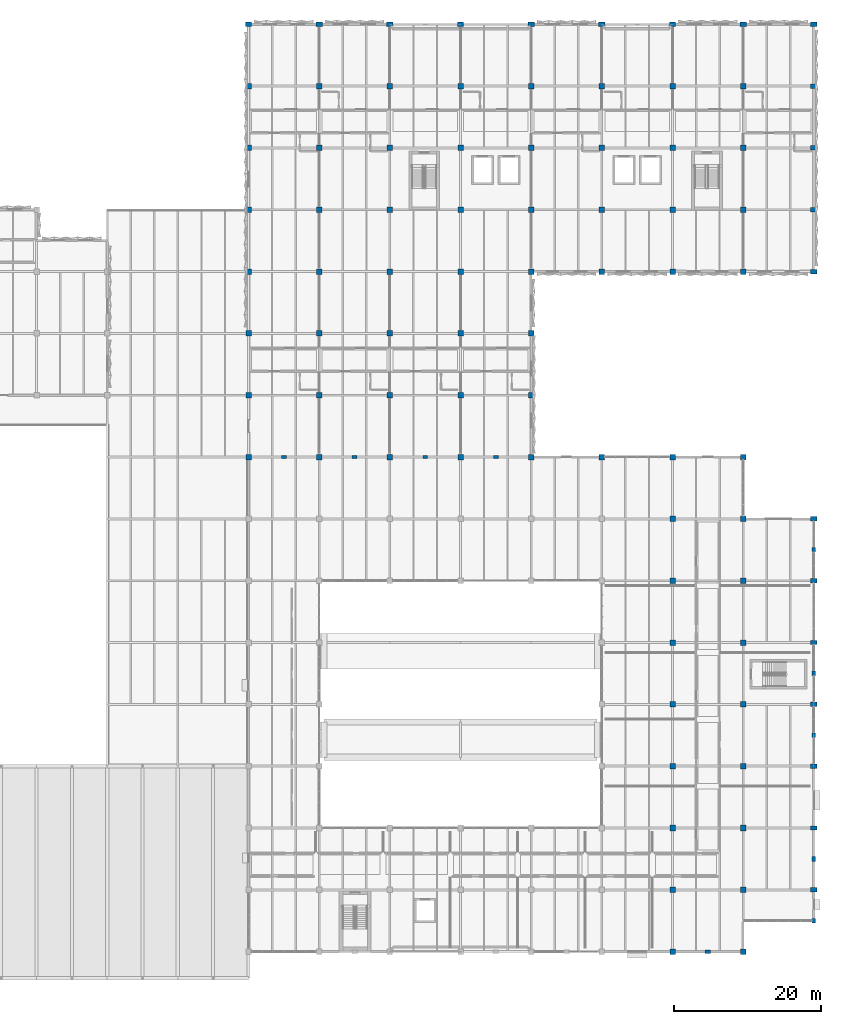
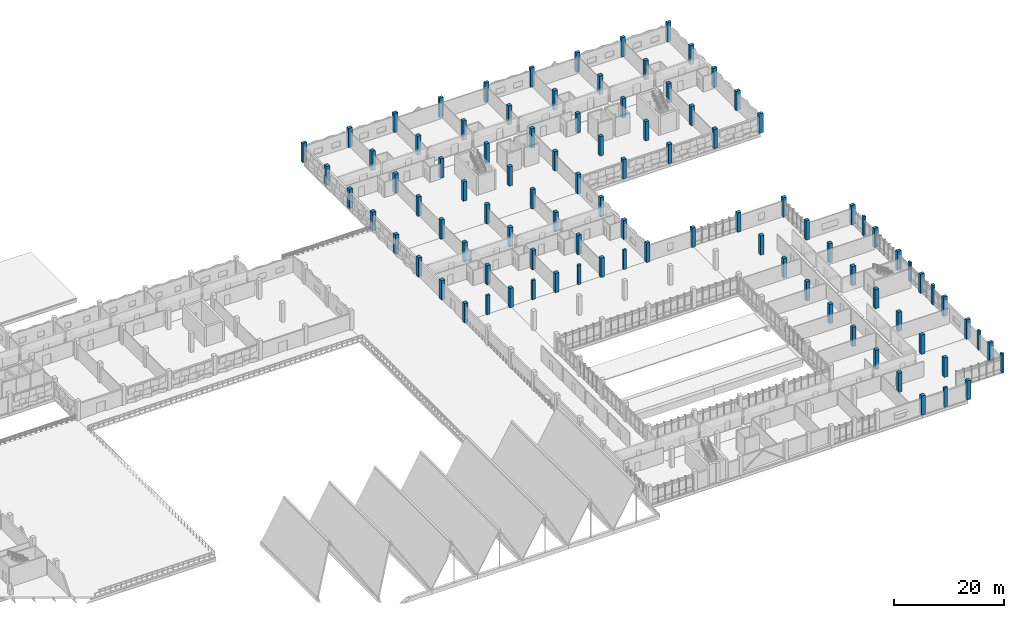
# One storey, part 2 of 86: 96 columns.
"""IFC4 building model written with IfcOpenShell, lengths in metres."""

from ifc_helpers import new_model, si_unit, direction, frame, origin, origin_2d, place, context, subcontext, project, spatial, rectangle, extrude, material, material_profile, profile_set, type_object, element, save


model = new_model("IFC4")

# Units and contexts
model_context = context("Model", 3, precision=1e-05, world=origin(), true_north=direction((0.0, 1.0)))
body_context = subcontext(model_context, "Body", "Model", "MODEL_VIEW")
ifc_project = project(units=[si_unit("LENGTHUNIT", "METRE"), si_unit("AREAUNIT", "SQUARE_METRE"), si_unit("VOLUMEUNIT", "CUBIC_METRE"), si_unit("PLANEANGLEUNIT", "RADIAN"), si_unit("MASSUNIT", "GRAM", prefix="KILO")], contexts=[model_context])

# Site, building, storey
site_placement = place(None, origin())
site = spatial("IfcSite", under=ifc_project, at=site_placement, CompositionType="ELEMENT")
building_placement = place(site_placement, origin())
building = spatial("IfcBuilding", under=site, at=building_placement, Name="Oolite Switchyard Hospital", CompositionType="ELEMENT")
storey_placement = place(building_placement, frame((0.0, 0.0, 13.5)))
storey = spatial("IfcBuildingStorey", under=building, at=storey_placement, Name="L03", CompositionType="ELEMENT", Elevation=13.5)

# Columns
ifc_material_1 = material(Name="Concrete C50/60", Category="concrete")
ifc_material_profile_1 = material_profile(ifc_material_1, rectangle(XDim=0.75, YDim=0.75, at=origin_2d()), Name="RC750X750")
ifc_profile_set_1 = profile_set([ifc_material_profile_1], Name="Concrete C50/60")
column_type_1 = type_object("IfcColumnType", Name="COL-RC750", PredefinedType="COLUMN", material=ifc_profile_set_1)
for number, where, z_axis, x_axis, name in (
    (1, (134.39990234375, 75.60009765625, 0.0), (0.0, 0.0, 1.0), (1.0, 0.0, 0.0), "L03 Column 1011"),
    (2, (134.39990234375, 84.0, 0.0), (0.0, 0.0, 1.0), (1.0, 0.0, 0.0), "L03 Column 1012"),
    (3, (134.39990234375, 92.39990234375, 0.0), (0.0, 0.0, 1.0), (1.0, 0.0, 0.0), "L03 Column 1013"),
    (4, (134.39990234375, 100.800048828125, 0.0), (0.0, 0.0, 1.0), (1.0, 0.0, 0.0), "L03 Column 1014"),
    (5, (134.39990234375, 109.199951171875, 0.0), (0.0, 0.0, 1.0), (1.0, 0.0, 0.0), "L03 Column 1015"),
    (6, (134.39990234375, 117.60009765625, 0.0), (0.0, 0.0, 1.0), (1.0, 0.0, 0.0), "L03 Column 1016"),
    (7, (134.39990234375, 126.0, 0.0), (0.0, 0.0, 1.0), (1.0, 0.0, 0.0), "L03 Column 1017"),
    (8, (144.0, 75.60009765625, 0.0), (0.0, 0.0, 1.0), (1.0, 0.0, 0.0), "L03 Column 1027"),
    (9, (144.0, 84.0, 0.0), (0.0, 0.0, 1.0), (1.0, 0.0, 0.0), "L03 Column 1028"),
    (10, (144.0, 92.39990234375, 0.0), (0.0, 0.0, 1.0), (1.0, 0.0, 0.0), "L03 Column 1029"),
    (11, (144.0, 100.800048828125, 0.0), (0.0, 0.0, 1.0), (1.0, 0.0, 0.0), "L03 Column 1030"),
    (12, (144.0, 109.199951171875, 0.0), (0.0, 0.0, 1.0), (1.0, 0.0, 0.0), "L03 Column 1031"),
    (13, (144.0, 117.60009765625, 0.0), (0.0, 0.0, 1.0), (1.0, 0.0, 0.0), "L03 Column 1032"),
    (14, (144.0, 126.0, 0.0), (0.0, 0.0, 1.0), (1.0, 0.0, 0.0), "L03 Column 1033"),
    (15, (153.60009765625, 75.60009765625, 0.0), (0.0, 0.0, 1.0), (1.0, 0.0, 0.0), "L03 Column 1040"),
    (16, (153.60009765625, 84.0, 0.0), (0.0, 0.0, 1.0), (1.0, 0.0, 0.0), "L03 Column 1041"),
    (17, (153.60009765625, 92.39990234375, 0.0), (0.0, 0.0, 1.0), (1.0, 0.0, 0.0), "L03 Column 1042"),
    (18, (153.60009765625, 100.800048828125, 0.0), (0.0, 0.0, 1.0), (1.0, 0.0, 0.0), "L03 Column 1043"),
    (19, (153.60009765625, 109.199951171875, 0.0), (0.0, 0.0, 1.0), (1.0, 0.0, 0.0), "L03 Column 1044"),
    (20, (153.60009765625, 117.60009765625, 0.0), (0.0, 0.0, 1.0), (1.0, 0.0, 0.0), "L03 Column 1045"),
    (21, (153.60009765625, 126.0, 0.0), (0.0, 0.0, 1.0), (1.0, 0.0, 0.0), "L03 Column 1046"),
    (22, (163.199951171875, 75.60009765625, 0.0), (0.0, 0.0, 1.0), (1.0, 0.0, 0.0), "L03 Column 1053"),
    (23, (163.199951171875, 84.0, 0.0), (0.0, 0.0, 1.0), (1.0, 0.0, 0.0), "L03 Column 1054"),
    (24, (163.199951171875, 92.39990234375, 0.0), (0.0, 0.0, 1.0), (1.0, 0.0, 0.0), "L03 Column 1055"),
    (25, (163.199951171875, 100.800048828125, 0.0), (0.0, 0.0, 1.0), (1.0, 0.0, 0.0), "L03 Column 1056"),
    (26, (163.199951171875, 109.199951171875, 0.0), (0.0, 0.0, 1.0), (1.0, 0.0, 0.0), "L03 Column 1057"),
    (27, (163.199951171875, 117.60009765625, 0.0), (0.0, 0.0, 1.0), (1.0, 0.0, 0.0), "L03 Column 1058"),
    (28, (163.199951171875, 126.0, 0.0), (0.0, 0.0, 1.0), (1.0, 0.0, 0.0), "L03 Column 1059"),
    (29, (172.800048828125, 75.60009765625, 0.0), (0.0, 0.0, 1.0), (1.0, 0.0, 0.0), "L03 Column 1066"),
    (30, (172.800048828125, 84.0, 0.0), (0.0, 0.0, 1.0), (1.0, 0.0, 0.0), "L03 Column 1067"),
    (31, (172.800048828125, 92.39990234375, 0.0), (0.0, 0.0, 1.0), (1.0, 0.0, 0.0), "L03 Column 1068"),
    (32, (172.800048828125, 100.800048828125, 0.0), (0.0, 0.0, 1.0), (1.0, 0.0, 0.0), "L03 Column 1069"),
    (33, (172.800048828125, 109.199951171875, 0.0), (0.0, 0.0, 1.0), (1.0, 0.0, 0.0), "L03 Column 1070"),
    (34, (172.800048828125, 117.60009765625, 0.0), (0.0, 0.0, 1.0), (1.0, 0.0, 0.0), "L03 Column 1071"),
    (35, (172.800048828125, 126.0, 0.0), (0.0, 0.0, 1.0), (1.0, 0.0, 0.0), "L03 Column 1072"),
    (36, (182.39990234375, 75.60009765625, 0.0), (0.0, 0.0, 1.0), (1.0, 0.0, 0.0), "L03 Column 1082"),
    (37, (182.39990234375, 100.800048828125, 0.0), (0.0, 0.0, 1.0), (1.0, 0.0, 0.0), "L03 Column 1083"),
    (38, (182.39990234375, 109.199951171875, 0.0), (0.0, 0.0, 1.0), (1.0, 0.0, 0.0), "L03 Column 1084"),
    (39, (182.39990234375, 117.60009765625, 0.0), (0.0, 0.0, 1.0), (1.0, 0.0, 0.0), "L03 Column 1085"),
    (40, (182.39990234375, 126.0, 0.0), (0.0, 0.0, 1.0), (1.0, 0.0, 0.0), "L03 Column 1086"),
    (41, (192.0, 8.39990234375, 0.0), (0.0, 0.0, 1.0), (1.0, 0.0, 0.0), "L03 Column 1088"),
    (42, (192.0, 16.800048828125, 0.0), (0.0, 0.0, 1.0), (1.0, 0.0, 0.0), "L03 Column 1089"),
    (43, (192.0, 25.199951171875, 0.0), (0.0, 0.0, 1.0), (1.0, 0.0, 0.0), "L03 Column 1090"),
    (44, (192.0, 33.60009765625, 0.0), (0.0, 0.0, 1.0), (1.0, 0.0, 0.0), "L03 Column 1091"),
    (45, (192.0, 42.0, 0.0), (0.0, 0.0, 1.0), (1.0, 0.0, 0.0), "L03 Column 1092"),
    (46, (192.0, 50.39990234375, 0.0), (0.0, 0.0, 1.0), (1.0, 0.0, 0.0), "L03 Column 1093"),
    (47, (192.0, 58.800048828125, 0.0), (0.0, 0.0, 1.0), (1.0, 0.0, 0.0), "L03 Column 1094"),
    (48, (192.0, 67.199951171875, 0.0), (0.0, 0.0, 1.0), (1.0, 0.0, 0.0), "L03 Column 1095"),
    (49, (192.0, 75.60009765625, 0.0), (0.0, 0.0, 1.0), (1.0, 0.0, 0.0), "L03 Column 1096"),
    (50, (192.0, 100.800048828125, 0.0), (0.0, 0.0, 1.0), (1.0, 0.0, 0.0), "L03 Column 1097"),
    (51, (192.0, 109.199951171875, 0.0), (0.0, 0.0, 1.0), (1.0, 0.0, 0.0), "L03 Column 1098"),
    (52, (192.0, 117.60009765625, 0.0), (0.0, 0.0, 1.0), (1.0, 0.0, 0.0), "L03 Column 1099"),
    (53, (192.0, 126.0, 0.0), (0.0, 0.0, 1.0), (1.0, 0.0, 0.0), "L03 Column 1100"),
    (54, (201.60009765625, 8.39990234375, 0.0), (0.0, 0.0, 1.0), (1.0, 0.0, 0.0), "L03 Column 1102"),
    (55, (201.60009765625, 16.800048828125, 0.0), (0.0, 0.0, 1.0), (1.0, 0.0, 0.0), "L03 Column 1103"),
    (56, (201.60009765625, 25.199951171875, 0.0), (0.0, 0.0, 1.0), (1.0, 0.0, 0.0), "L03 Column 1104"),
    (57, (201.60009765625, 33.60009765625, 0.0), (0.0, 0.0, 1.0), (1.0, 0.0, 0.0), "L03 Column 1105"),
    (58, (201.60009765625, 42.0, 0.0), (0.0, 0.0, 1.0), (1.0, 0.0, 0.0), "L03 Column 1106"),
    (59, (201.60009765625, 50.39990234375, 0.0), (0.0, 0.0, 1.0), (1.0, 0.0, 0.0), "L03 Column 1107"),
    (60, (201.60009765625, 58.800048828125, 0.0), (0.0, 0.0, 1.0), (1.0, 0.0, 0.0), "L03 Column 1108"),
    (61, (201.60009765625, 67.199951171875, 0.0), (0.0, 0.0, 1.0), (1.0, 0.0, 0.0), "L03 Column 1109"),
    (62, (201.60009765625, 75.60009765625, 0.0), (0.0, 0.0, 1.0), (1.0, 0.0, 0.0), "L03 Column 1110"),
    (63, (201.60009765625, 100.800048828125, 0.0), (0.0, 0.0, 1.0), (1.0, 0.0, 0.0), "L03 Column 1111"),
    (64, (201.60009765625, 109.199951171875, 0.0), (0.0, 0.0, 1.0), (1.0, 0.0, 0.0), "L03 Column 1112"),
    (65, (201.60009765625, 117.60009765625, 0.0), (0.0, 0.0, 1.0), (1.0, 0.0, 0.0), "L03 Column 1113"),
    (66, (201.60009765625, 126.0, 0.0), (0.0, 0.0, 1.0), (1.0, 0.0, 0.0), "L03 Column 1114"),
):
    element("IfcColumn", number, at=place(storey_placement, frame(where, z_axis=z_axis, x_axis=x_axis)), inside=storey, type_object=column_type_1, Name=name, PredefinedType="COLUMN", context=body_context, shape_type="SweptSolid", body=[
        extrude(rectangle(XDim=0.75, YDim=0.75, at=origin_2d()), origin(), (0.0, 0.0, 1.0), 4.300048828125),
    ])
ifc_material_profile_2 = material_profile(ifc_material_1, rectangle(XDim=0.85009765625, YDim=0.60009765625, at=origin_2d()), Name="RC850X600")
ifc_profile_set_2 = profile_set([ifc_material_profile_2], Name="Concrete C50/60")
column_type_2 = type_object("IfcColumnType", Name="COL-RCR850", PredefinedType="COLUMN", material=ifc_profile_set_2)
for number, where, z_axis, x_axis, name in (
    (67, (134.39990234375, 134.39990234375, 0.0), (0.0, 0.0, 1.0), (1.0, 0.0, 0.0), "L03 Column 1018"),
    (68, (144.0, 134.39990234375, 0.0), (0.0, 0.0, 1.0), (1.0, 0.0, 0.0), "L03 Column 1034"),
    (69, (153.60009765625, 134.39990234375, 0.0), (0.0, 0.0, 1.0), (1.0, 0.0, 0.0), "L03 Column 1047"),
    (70, (163.199951171875, 134.39990234375, 0.0), (0.0, 0.0, 1.0), (1.0, 0.0, 0.0), "L03 Column 1060"),
    (71, (172.800048828125, 134.39990234375, 0.0), (0.0, 0.0, 1.0), (1.0, 0.0, 0.0), "L03 Column 1073"),
    (72, (182.39990234375, 134.39990234375, 0.0), (0.0, 0.0, 1.0), (1.0, 0.0, 0.0), "L03 Column 1087"),
    (73, (192.0, 134.39990234375, 0.0), (0.0, 0.0, 1.0), (1.0, 0.0, 0.0), "L03 Column 1101"),
    (74, (201.60009765625, 134.39990234375, 0.0), (0.0, 0.0, 1.0), (1.0, 0.0, 0.0), "L03 Column 1115"),
    (75, (211.199951171875, 16.800048828125, 0.0), (0.0, 0.0, 1.0), (1.0, 0.0, 0.0), "L03 Column 1116"),
    (76, (211.199951171875, 25.199951171875, 0.0), (0.0, 0.0, 1.0), (1.0, 0.0, 0.0), "L03 Column 1117"),
    (77, (211.199951171875, 33.60009765625, 0.0), (0.0, 0.0, 1.0), (1.0, 0.0, 0.0), "L03 Column 1118"),
    (78, (211.199951171875, 42.0, 0.0), (0.0, 0.0, 1.0), (1.0, 0.0, 0.0), "L03 Column 1119"),
    (79, (211.199951171875, 50.39990234375, 0.0), (0.0, 0.0, 1.0), (1.0, 0.0, 0.0), "L03 Column 1120"),
    (80, (211.199951171875, 58.800048828125, 0.0), (0.0, 0.0, 1.0), (1.0, 0.0, 0.0), "L03 Column 1121"),
    (81, (211.199951171875, 67.199951171875, 0.0), (0.0, 0.0, 1.0), (1.0, 0.0, 0.0), "L03 Column 1122"),
    (82, (211.199951171875, 100.800048828125, 0.0), (0.0, 0.0, 1.0), (1.0, 0.0, 0.0), "L03 Column 1123"),
    (83, (211.199951171875, 109.199951171875, 0.0), (0.0, 0.0, 1.0), (1.0, 0.0, 0.0), "L03 Column 1124"),
    (84, (211.199951171875, 117.60009765625, 0.0), (0.0, 0.0, 1.0), (1.0, 0.0, 0.0), "L03 Column 1125"),
    (85, (211.199951171875, 126.0, 0.0), (0.0, 0.0, 1.0), (1.0, 0.0, 0.0), "L03 Column 1126"),
    (86, (211.199951171875, 134.39990234375, 0.0), (0.0, 0.0, 1.0), (1.0, 0.0, 0.0), "L03 Column 1127"),
):
    element("IfcColumn", number, at=place(storey_placement, frame(where, z_axis=z_axis, x_axis=x_axis)), inside=storey, type_object=column_type_2, Name=name, PredefinedType="COLUMN", context=body_context, shape_type="SweptSolid", body=[
        extrude(rectangle(XDim=0.85009765625, YDim=0.60009765625, at=origin_2d()), origin(), (0.0, 0.0, 1.0), 4.300048828125),
    ])
ifc_material_2 = material(Name="Precast concrete C40/50", Category="concrete")
ifc_material_profile_3 = material_profile(ifc_material_2, rectangle(XDim=0.449951171875, YDim=0.64990234375, at=origin_2d()), Name="PIL450X650")
ifc_profile_set_3 = profile_set([ifc_material_profile_3], Name="Precast concrete C40/50")
column_type_3 = type_object("IfcColumnType", Name="PIL-450X650", PredefinedType="PILASTER", material=ifc_profile_set_3)
for number, where, z_axis, x_axis, name in (
    (87, (211.199951171875, 12.60009765625, 0.0), (0.0, 0.0, 1.0), (1.0, 0.0, 0.0), "L03 Classical Pilaster 50"),
    (88, (211.199951171875, 21.0, 0.0), (0.0, 0.0, 1.0), (1.0, 0.0, 0.0), "L03 Classical Pilaster 51"),
    (89, (211.199951171875, 37.800048828125, 0.0), (0.0, 0.0, 1.0), (1.0, 0.0, 0.0), "L03 Classical Pilaster 52"),
    (90, (211.199951171875, 46.199951171875, 0.0), (0.0, 0.0, 1.0), (1.0, 0.0, 0.0), "L03 Classical Pilaster 53"),
    (91, (211.199951171875, 63.0, 0.0), (0.0, 0.0, 1.0), (1.0, 0.0, 0.0), "L03 Classical Pilaster 54"),
):
    element("IfcColumn", number, at=place(storey_placement, frame(where, z_axis=z_axis, x_axis=x_axis)), inside=storey, type_object=column_type_3, Name=name, PredefinedType="PILASTER", context=body_context, shape_type="SweptSolid", body=[
        extrude(rectangle(XDim=0.449951171875, YDim=0.64990234375, at=origin_2d()), origin(), (0.0, 0.0, 1.0), 4.300048828125),
    ])
ifc_material_profile_4 = material_profile(ifc_material_2, rectangle(XDim=0.64990234375, YDim=0.449951171875, at=origin_2d()), Name="PIL650X450")
ifc_profile_set_4 = profile_set([ifc_material_profile_4], Name="Precast concrete C40/50")
column_type_4 = type_object("IfcColumnType", Name="PIL-650X450", PredefinedType="PILASTER", material=ifc_profile_set_4)
for number, where, z_axis, x_axis, name in (
    (92, (139.199951171875, 75.60009765625, 0.0), (0.0, 0.0, 1.0), (1.0, 0.0, 0.0), "L03 Classical Pilaster 55"),
    (93, (148.800048828125, 75.60009765625, 0.0), (0.0, 0.0, 1.0), (1.0, 0.0, 0.0), "L03 Classical Pilaster 56"),
    (94, (158.39990234375, 75.60009765625, 0.0), (0.0, 0.0, 1.0), (1.0, 0.0, 0.0), "L03 Classical Pilaster 57"),
    (95, (168.0, 75.60009765625, 0.0), (0.0, 0.0, 1.0), (1.0, 0.0, 0.0), "L03 Classical Pilaster 58"),
):
    element("IfcColumn", number, at=place(storey_placement, frame(where, z_axis=z_axis, x_axis=x_axis)), inside=storey, type_object=column_type_4, Name=name, PredefinedType="PILASTER", context=body_context, shape_type="SweptSolid", body=[
        extrude(rectangle(XDim=0.64990234375, YDim=0.449951171875, at=origin_2d()), origin(), (0.0, 0.0, 1.0), 4.300048828125),
    ])
ifc_material_profile_5 = material_profile(ifc_material_2, rectangle(XDim=0.75, YDim=0.5, at=origin_2d()), Name="PIL750X500")
ifc_profile_set_5 = profile_set([ifc_material_profile_5], Name="Precast concrete C40/50")
column_type_5 = type_object("IfcColumnType", Name="PIL-750X500", PredefinedType="PILASTER", material=ifc_profile_set_5)
column_placement = place(storey_placement, frame((196.800048828125, 8.39990234375, 0.0), z_axis=(0.0, 0.0, 1.0), x_axis=(1.0, 0.0, 0.0)))
element("IfcColumn", 96, at=column_placement, inside=storey, type_object=column_type_5, Name="L03 Classical Pilaster 49", PredefinedType="PILASTER", context=body_context, shape_type="SweptSolid", body=[
    extrude(rectangle(XDim=0.75, YDim=0.5, at=origin_2d()), origin(), (0.0, 0.0, 1.0), 4.300048828125),
])

save(model, "model.ifc")
